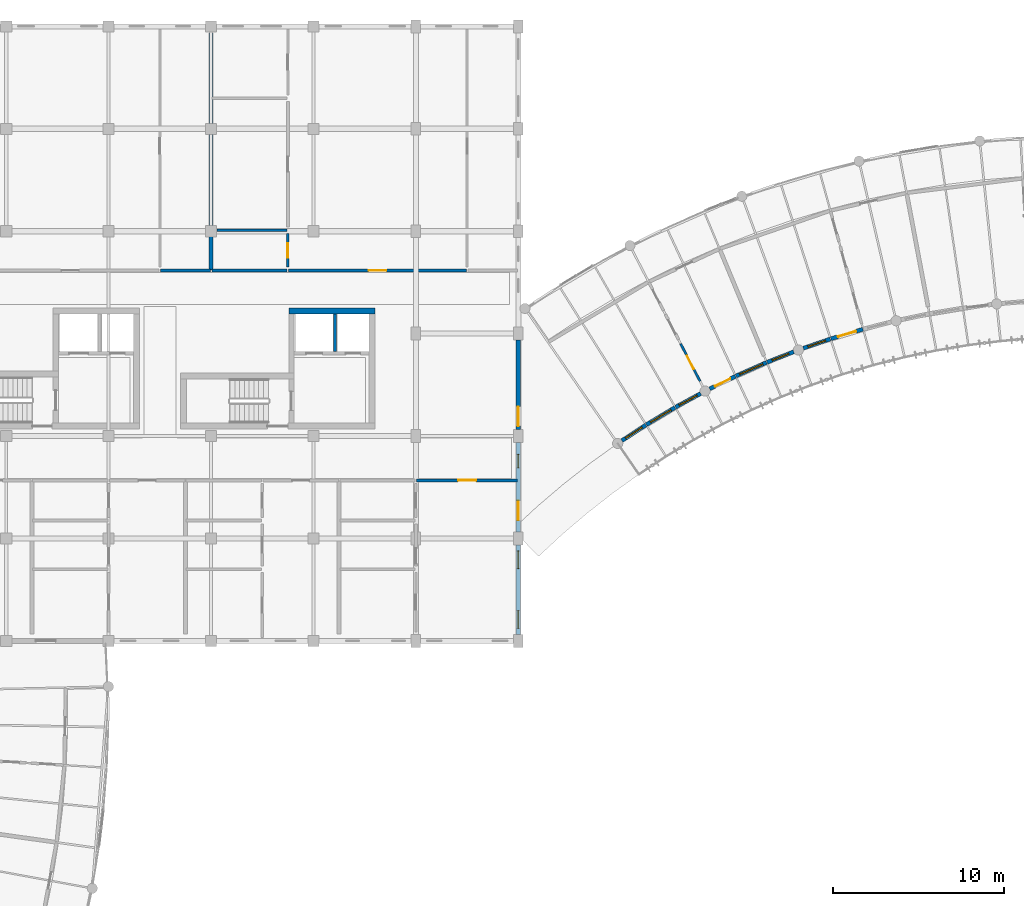
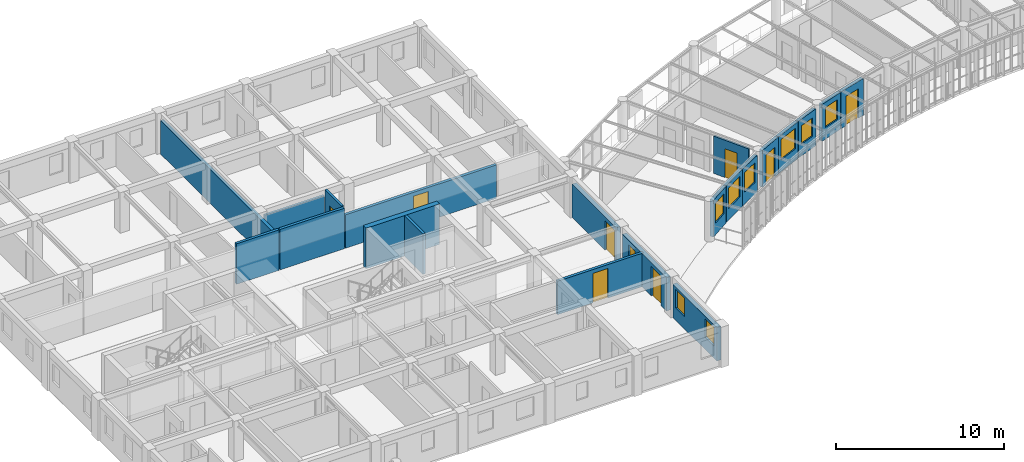
# One storey, part 71 of 100: 21 walls, 9 windows, 8 doors, 17 openings.
"""IFC4 building model written with IfcOpenShell, lengths in metres."""

from ifc_helpers import new_model, si_unit, direction, frame, frame_2d, origin, place, context, subcontext, project, spatial, rectangle, extrude, material, layer, layer_set, type_object, element, fill, save


model = new_model("IFC4")

# Units and contexts
model_context = context("Model", 3, precision=1e-05, world=origin(), true_north=direction((0.0, 1.0)))
body_context = subcontext(model_context, "Body", "Model", "MODEL_VIEW")
ifc_project = project(units=[si_unit("LENGTHUNIT", "METRE"), si_unit("AREAUNIT", "SQUARE_METRE"), si_unit("VOLUMEUNIT", "CUBIC_METRE"), si_unit("PLANEANGLEUNIT", "RADIAN"), si_unit("MASSUNIT", "GRAM", prefix="KILO"), si_unit("POWERUNIT", "WATT"), si_unit("THERMODYNAMICTEMPERATUREUNIT", "KELVIN")], contexts=[model_context])

# Site, building, storey
site_placement = place(None, origin())
site = spatial("IfcSite", under=ifc_project, at=site_placement, CompositionType="ELEMENT")
building_placement = place(site_placement, origin())
building = spatial("IfcBuilding", under=site, at=building_placement, Name="Ruvembo Vaulted Housing Court", CompositionType="ELEMENT")
storey_placement = place(building_placement, frame((0.0, 0.0, 14.10009765625)))
storey = spatial("IfcBuildingStorey", under=building, at=storey_placement, Name="L04", CompositionType="ELEMENT", Elevation=14.10009765625)

# Wall
ifc_material_1 = material(Name="Concrete C35/45", Category="concrete")
ifc_layer_1 = layer(ifc_material_1, 0.35009765625, Name="Concrete C35/45")
ifc_layer_set_1 = layer_set([ifc_layer_1], Name="Concrete C35/45")
wall_type_1 = type_object("IfcWallType", Name="WL-CORE-350", PredefinedType="SHEAR", material=ifc_layer_set_1)
wall_1_placement = place(storey_placement, frame((75.60009765625, 97.324951171875, 0.0), z_axis=(0.0, 0.0, 1.0), x_axis=(-1.0, 0.0, 0.0)))
element("IfcWall", 1, at=wall_1_placement, inside=storey, type_object=wall_type_1, Name="Core B2 L04 North Shear Wall", PredefinedType="SHEAR", context=body_context, shape_type="SweptSolid", body=[
    extrude(rectangle(XDim=5.050048828125, YDim=0.35009765625, at=frame_2d((2.52490234375, 0.0))), origin(), (0.0, 0.0, 1.0), 2.949951171875),
])

# Wall, opening, door
ifc_material_2 = material(Name="Concrete Blockwork 190", Category="masonry")
ifc_layer_2 = layer(ifc_material_2, 0.18994140625, Name="Concrete Blockwork 190")
ifc_layer_set_2 = layer_set([ifc_layer_2], Name="Concrete Blockwork 190")
wall_type_2 = type_object("IfcWallType", Name="WL-CORR-190", PredefinedType="SOLIDWALL", material=ifc_layer_set_2)
wall_2_placement = place(storey_placement, frame((78.0400390625, 87.39990234375, 0.0), z_axis=(0.0, 0.0, 1.0), x_axis=(1.0, 0.0, 0.0)))
wall_2 = element("IfcWall", 2, at=wall_2_placement, inside=storey, type_object=wall_type_2, Name="L04 Flat B-L04-S4 Entrance WL-INT-L04-01162", PredefinedType="SOLIDWALL", context=body_context, shape_type="SweptSolid", body=[
    extrude(rectangle(XDim=5.919921875, YDim=0.18994140625, at=frame_2d((2.9599609375, 0.0))), origin(), (0.0, 0.0, 1.0), 2.431884765625),
])
opening_1_placement = place(wall_2_placement, frame((2.43505859375, 0.0, 0.0)))
opening_1 = element("IfcOpeningElement", 3, at=opening_1_placement, cuts=wall_2, Name="Opening FD3", PredefinedType="OPENING", context=body_context, shape_type="SweptSolid", body=[
    extrude(rectangle(XDim=1.050048828125, YDim=2.14990234375, at=frame_2d((0.52490234375, 1.074951171875))), frame((0.0, 0.10498046875, 0.0), z_axis=(0.0, -1.0, 0.0), x_axis=(1.0, 0.0, 0.0)), (0.0, 0.0, 1.0), 0.2099609375),
])
ifc_material_3 = material(Name="FSC Hardwood and Engineered Timber", Category="wood")
door_type_1 = type_object("IfcDoorType", Name="DR-FLAT-1050x2150", OperationType="NOTDEFINED", PredefinedType="DOOR", material=ifc_material_3)
door_1_placement = place(opening_1_placement, origin())
door_1 = element("IfcDoor", 4, at=door_1_placement, inside=storey, type_object=door_type_1, Name="L04 Flat B-L04-S4 Entrance Door DR-INT-L04-00650", OperationType="SINGLE_SWING_RIGHT", OverallHeight=2.14990234375, OverallWidth=1.050048828125, PredefinedType="DOOR", context=body_context, shape_type="SweptSolid", body=[
    extrude(rectangle(XDim=1.050048828125, YDim=2.14990234375, at=frame_2d((0.52490234375, 1.074951171875))), frame((0.0, 0.02490234375, 0.0), z_axis=(0.0, -1.0, 0.0), x_axis=(1.0, 0.0, 0.0)), (0.0, 0.0, 1.0), 0.050048828125),
])
fill(opening_1, door_1)

# Walls
wall_3_placement = place(storey_placement, frame((63.0400390625, 99.699951171875, 0.0), z_axis=(0.0, 0.0, 1.0), x_axis=(1.0, 0.0, 0.0)))
element("IfcWall", 5, at=wall_3_placement, inside=storey, type_object=wall_type_2, Name="L04 Flat B-L04-N1 Corridor Wall 2 WL-INT-L04-01176", PredefinedType="SOLIDWALL", context=body_context, shape_type="SweptSolid", body=[
    extrude(rectangle(XDim=2.919921875, YDim=0.18994140625, at=frame_2d((1.4599609375, 0.0))), origin(), (0.0, 0.0, 1.0), 2.949951171875),
])
wall_4_placement = place(storey_placement, frame((66.0400390625, 99.699951171875, 0.0), z_axis=(0.0, 0.0, 1.0), x_axis=(1.0, 0.0, 0.0)))
element("IfcWall", 6, at=wall_4_placement, inside=storey, type_object=wall_type_2, Name="L04 Flat B-L04-N2 Corridor Wall WL-INT-L04-01178", PredefinedType="SOLIDWALL", context=body_context, shape_type="SweptSolid", body=[
    extrude(rectangle(XDim=4.419921875, YDim=0.18994140625, at=frame_2d((2.2099609375, 0.0))), origin(), (0.0, 0.0, 1.0), 2.949951171875),
])

# Wall, opening, door
wall_5_placement = place(storey_placement, frame((70.5400390625, 99.699951171875, 0.0), z_axis=(0.0, 0.0, 1.0), x_axis=(1.0, 0.0, 0.0)))
wall_5 = element("IfcWall", 7, at=wall_5_placement, inside=storey, type_object=wall_type_2, Name="L04 Flat B-L04-N2 Entrance WL-INT-L04-01179", PredefinedType="SOLIDWALL", context=body_context, shape_type="SweptSolid", body=[
    extrude(rectangle(XDim=10.419921875, YDim=0.18994140625, at=frame_2d((5.2099609375, 0.0))), origin(), (0.0, 0.0, 1.0), 2.431884765625),
])
opening_2_placement = place(wall_5_placement, frame((4.68505859375, 0.0, 0.0)))
opening_2 = element("IfcOpeningElement", 8, at=opening_2_placement, cuts=wall_5, Name="Opening FD3", PredefinedType="OPENING", context=body_context, shape_type="SweptSolid", body=[
    extrude(rectangle(XDim=1.050048828125, YDim=2.14990234375, at=frame_2d((0.52490234375, 1.074951171875))), frame((0.0, 0.10498046875, 0.0), z_axis=(0.0, -1.0, 0.0), x_axis=(1.0, 0.0, 0.0)), (0.0, 0.0, 1.0), 0.2099609375),
])
door_2_placement = place(opening_2_placement, origin())
door_2 = element("IfcDoor", 9, at=door_2_placement, inside=storey, type_object=door_type_1, Name="L04 Flat B-L04-N2 Entrance Door DR-INT-L04-00659", OperationType="SINGLE_SWING_LEFT", OverallHeight=2.14990234375, OverallWidth=1.050048828125, PredefinedType="DOOR", context=body_context, shape_type="SweptSolid", body=[
    extrude(rectangle(XDim=1.050048828125, YDim=2.14990234375, at=frame_2d((0.52490234375, 1.074951171875))), frame((0.0, 0.02490234375, 0.0), z_axis=(0.0, -1.0, 0.0), x_axis=(1.0, 0.0, 0.0)), (0.0, 0.0, 1.0), 0.050048828125),
])
fill(opening_2, door_2)

# Wall
ifc_material_4 = material(Name="Acoustic Masonry Demising 220", Category="masonry")
ifc_layer_3 = layer(ifc_material_4, 0.219970703125, Name="Acoustic Masonry Demising 220")
ifc_layer_set_3 = layer_set([ifc_layer_3], Name="Acoustic Masonry Demising 220")
wall_type_3 = type_object("IfcWallType", Name="WL-DEM-200", PredefinedType="SOLIDWALL", material=ifc_layer_set_3)
wall_6_placement = place(storey_placement, frame((66.0, 99.739990234375, 0.0), z_axis=(0.0, 0.0, 1.0), x_axis=(0.0, 1.0, 0.0)))
element("IfcWall", 10, at=wall_6_placement, inside=storey, type_object=wall_type_3, Name="L04 Demising B-L04-N1 WL-INT-L04-01168", PredefinedType="SOLIDWALL", context=body_context, shape_type="SweptSolid", body=[
    extrude(rectangle(XDim=13.8701171875, YDim=0.219970703125, at=frame_2d((6.93505859375, 0.0))), origin(), (0.0, 0.0, 1.0), 2.4580078125),
])

# Wall, opening, window
ifc_material_5 = material(Name="Rendered Masonry 235", Category="masonry")
ifc_layer_4 = layer(ifc_material_5, 0.235107421875, Name="Rendered Masonry 235")
ifc_layer_set_4 = layer_set([ifc_layer_4], Name="Rendered Masonry 235")
wall_type_4 = type_object("IfcWallType", Name="WL-EXT-235", PredefinedType="STANDARD", material=ifc_layer_set_4)
wall_7_placement = place(storey_placement, frame((90.072509765625, 89.729248046875, 0.0), z_axis=(0.0, 0.0, 1.0), x_axis=(0.83589302699, 0.548892382375, 0.0)))
wall_7 = element("IfcWall", 11, at=wall_7_placement, inside=storey, type_object=wall_type_4, Name="Scoop SC3 L04 Concave Balcony Wall 0", PredefinedType="STANDARD", context=body_context, shape_type="SweptSolid", body=[
    extrude(rectangle(XDim=1.67236328125, YDim=0.235107421875, at=frame_2d((0.836181640625, 0.0))), origin(), (0.0, 0.0, 1.0), 2.683837890625),
])
opening_3_placement = place(wall_7_placement, frame((0.260986328125, 0.0, 0.85009765625)))
opening_3 = element("IfcOpeningElement", 12, at=opening_3_placement, cuts=wall_7, Name="Opening W11", PredefinedType="OPENING", context=body_context, shape_type="SweptSolid", body=[
    extrude(rectangle(XDim=1.14990234375, YDim=1.449951171875, at=frame_2d((0.574951171875, 0.72509765625))), frame((0.0, 0.12744140625, 0.0), z_axis=(0.0, -1.0, 0.0), x_axis=(1.0, 0.0, 0.0)), (0.0, 0.0, 1.0), 0.255126953125),
])
ifc_material_6 = material(Name="Double Solar-Control Glazing in Aluminium Frame", Category="aluminium")
window_type_1 = type_object("IfcWindowType", Name="WIN-1150x1450", PartitioningType="SINGLE_PANEL", PredefinedType="WINDOW", material=ifc_material_6)
window_1_placement = place(opening_3_placement, origin())
window_1 = element("IfcWindow", 13, at=window_1_placement, inside=storey, type_object=window_type_1, Name="Scoop SC3 L04 Concave Window 0", OverallHeight=1.449951171875, OverallWidth=1.14990234375, PartitioningType="SINGLE_PANEL", PredefinedType="WINDOW", context=body_context, shape_type="SweptSolid", body=[
    extrude(rectangle(XDim=1.14990234375, YDim=1.449951171875, at=frame_2d((0.574951171875, 0.72509765625))), frame((0.0, 0.030029296875, 0.0), z_axis=(0.0, -1.0, 0.0), x_axis=(1.0, 0.0, 0.0)), (0.0, 0.0, 1.0), 0.06005859375),
])
fill(opening_3, window_1)

wall_8_placement = place(storey_placement, frame((91.50439453125, 90.66845703125, 0.0), z_axis=(0.0, 0.0, 1.0), x_axis=(0.85787888411, 0.51385194385, 0.0)))
wall_8 = element("IfcWall", 14, at=wall_8_placement, inside=storey, type_object=wall_type_4, Name="Scoop SC3 L04 Concave Balcony Wall 1", PredefinedType="STANDARD", context=body_context, shape_type="SweptSolid", body=[
    extrude(rectangle(XDim=1.9521484375, YDim=0.235107421875, at=frame_2d((0.97607421875, 0.0))), origin(), (0.0, 0.0, 1.0), 2.683837890625),
])
opening_4_placement = place(wall_8_placement, frame((0.276123046875, 0.0, 0.85009765625)))
opening_4 = element("IfcOpeningElement", 15, at=opening_4_placement, cuts=wall_8, Name="Opening W17", PredefinedType="OPENING", context=body_context, shape_type="SweptSolid", body=[
    extrude(rectangle(XDim=1.39990234375, YDim=1.5, at=frame_2d((0.699951171875, 0.75))), frame((0.0, 0.12744140625, 0.0), z_axis=(0.0, -1.0, 0.0), x_axis=(1.0, 0.0, 0.0)), (0.0, 0.0, 1.0), 0.255126953125),
])
window_type_2 = type_object("IfcWindowType", Name="WIN-1400x1500", PartitioningType="SINGLE_PANEL", PredefinedType="WINDOW", material=ifc_material_6)
window_2_placement = place(opening_4_placement, origin())
window_2 = element("IfcWindow", 16, at=window_2_placement, inside=storey, type_object=window_type_2, Name="Scoop SC3 L04 Concave Window 1", OverallHeight=1.5, OverallWidth=1.39990234375, PartitioningType="SINGLE_PANEL", PredefinedType="WINDOW", context=body_context, shape_type="SweptSolid", body=[
    extrude(rectangle(XDim=1.39990234375, YDim=1.5, at=frame_2d((0.699951171875, 0.75))), frame((0.0, 0.030029296875, 0.0), z_axis=(0.0, -1.0, 0.0), x_axis=(1.0, 0.0, 0.0)), (0.0, 0.0, 1.0), 0.06005859375),
])
fill(opening_4, window_2)

wall_9_placement = place(storey_placement, frame((93.214111328125, 91.691650390625, 0.0), z_axis=(0.0, 0.0, 1.0), x_axis=(0.878508628322, 0.477726480284, 0.0)))
wall_9 = element("IfcWall", 17, at=wall_9_placement, inside=storey, type_object=wall_type_4, Name="Scoop SC3 L04 Concave Balcony Wall 2", PredefinedType="STANDARD", context=body_context, shape_type="SweptSolid", body=[
    extrude(rectangle(XDim=1.672119140625, YDim=0.235107421875, at=frame_2d((0.8359375, 0.0))), origin(), (0.0, 0.0, 1.0), 2.683837890625),
])
opening_5_placement = place(wall_9_placement, frame((0.236083984375, 0.0, 0.85009765625)))
opening_5 = element("IfcOpeningElement", 18, at=opening_5_placement, cuts=wall_9, Name="Opening W13", PredefinedType="OPENING", context=body_context, shape_type="SweptSolid", body=[
    extrude(rectangle(XDim=1.199951171875, YDim=1.449951171875, at=frame_2d((0.60009765625, 0.72509765625))), frame((0.0, 0.12744140625, 0.0), z_axis=(0.0, -1.0, 0.0), x_axis=(1.0, 0.0, 0.0)), (0.0, 0.0, 1.0), 0.255126953125),
])
window_type_3 = type_object("IfcWindowType", Name="WIN-1200x1450", PartitioningType="SINGLE_PANEL", PredefinedType="WINDOW", material=ifc_material_6)
window_3_placement = place(opening_5_placement, origin())
window_3 = element("IfcWindow", 19, at=window_3_placement, inside=storey, type_object=window_type_3, Name="Scoop SC3 L04 Concave Window 2", OverallHeight=1.449951171875, OverallWidth=1.199951171875, PartitioningType="SINGLE_PANEL", PredefinedType="WINDOW", context=body_context, shape_type="SweptSolid", body=[
    extrude(rectangle(XDim=1.199951171875, YDim=1.449951171875, at=frame_2d((0.60009765625, 0.72509765625))), frame((0.0, 0.030029296875, 0.0), z_axis=(0.0, -1.0, 0.0), x_axis=(1.0, 0.0, 0.0)), (0.0, 0.0, 1.0), 0.06005859375),
])
fill(opening_5, window_3)

# Wall, opening, door
wall_10_placement = place(storey_placement, frame((95.2158203125, 92.76611328125, 0.0), z_axis=(0.0, 0.0, 1.0), x_axis=(0.897558380725, 0.440895626186, 0.0)))
wall_10 = element("IfcWall", 20, at=wall_10_placement, inside=storey, type_object=wall_type_4, Name="Scoop SC3 L04 Concave Balcony Wall 3", PredefinedType="STANDARD", context=body_context, shape_type="SweptSolid", body=[
    extrude(rectangle(XDim=1.67236328125, YDim=0.235107421875, at=frame_2d((0.836181640625, 0.0))), origin(), (0.0, 0.0, 1.0), 2.683837890625),
])
opening_6_placement = place(wall_10_placement, frame((0.336181640625, 0.0, 0.0)))
opening_6 = element("IfcOpeningElement", 21, at=opening_6_placement, cuts=wall_10, Name="Opening BD1", PredefinedType="OPENING", context=body_context, shape_type="SweptSolid", body=[
    extrude(rectangle(XDim=1.0, YDim=2.14990234375, at=frame_2d((0.5, 1.074951171875))), frame((0.0, 0.12744140625, 0.0), z_axis=(0.0, -1.0, 0.0), x_axis=(1.0, 0.0, 0.0)), (0.0, 0.0, 1.0), 0.255126953125),
])
ifc_material_7 = material(Name="Thermally Broken Glazed Aluminium", Category="aluminium")
door_type_2 = type_object("IfcDoorType", Name="DR-BAL-1000x2150", OperationType="NOTDEFINED", PredefinedType="DOOR", material=ifc_material_7)
door_3_placement = place(opening_6_placement, frame((1.0, 0.0, 0.0), z_axis=(0.0, 0.0, 1.0), x_axis=(-1.0, 0.0, 0.0)))
door_3 = element("IfcDoor", 22, at=door_3_placement, inside=storey, type_object=door_type_2, Name="Scoop SC3 L04 Balcony Door 3", OperationType="SINGLE_SWING_RIGHT", OverallHeight=2.14990234375, OverallWidth=1.0, PredefinedType="DOOR", context=body_context, shape_type="SweptSolid", body=[
    extrude(rectangle(XDim=1.0, YDim=2.14990234375, at=frame_2d((0.5, 1.074951171875))), frame((0.0, 0.02490234375, 0.0), z_axis=(0.0, -1.0, 0.0), x_axis=(1.0, 0.0, 0.0)), (0.0, 0.0, 1.0), 0.050048828125),
])
fill(opening_6, door_3)

# Wall, opening, window
wall_11_placement = place(storey_placement, frame((96.753173828125, 93.5205078125, 0.0), z_axis=(0.0, 0.0, 1.0), x_axis=(0.915126852478, 0.403166025197, 0.0)))
wall_11 = element("IfcWall", 23, at=wall_11_placement, inside=storey, type_object=wall_type_4, Name="Scoop SC3 L04 Concave Balcony Wall 4", PredefinedType="STANDARD", context=body_context, shape_type="SweptSolid", body=[
    extrude(rectangle(XDim=1.952392578125, YDim=0.235107421875, at=frame_2d((0.97607421875, 0.0))), origin(), (0.0, 0.0, 1.0), 2.683837890625),
])
opening_7_placement = place(wall_11_placement, frame((0.226318359375, 0.0, 0.85009765625)))
opening_7 = element("IfcOpeningElement", 24, at=opening_7_placement, cuts=wall_11, Name="Opening W19", PredefinedType="OPENING", context=body_context, shape_type="SweptSolid", body=[
    extrude(rectangle(XDim=1.5, YDim=1.5, at=frame_2d((0.75, 0.75))), frame((0.0, 0.12744140625, 0.0), z_axis=(0.0, -1.0, 0.0), x_axis=(1.0, 0.0, 0.0)), (0.0, 0.0, 1.0), 0.255126953125),
])
window_type_4 = type_object("IfcWindowType", Name="WIN-1500x1500", PartitioningType="SINGLE_PANEL", PredefinedType="WINDOW", material=ifc_material_6)
window_4_placement = place(opening_7_placement, origin())
window_4 = element("IfcWindow", 25, at=window_4_placement, inside=storey, type_object=window_type_4, Name="Scoop SC3 L04 Concave Window 4", OverallHeight=1.5, OverallWidth=1.5, PartitioningType="SINGLE_PANEL", PredefinedType="WINDOW", context=body_context, shape_type="SweptSolid", body=[
    extrude(rectangle(XDim=1.5, YDim=1.5, at=frame_2d((0.75, 0.75))), frame((0.0, 0.030029296875, 0.0), z_axis=(0.0, -1.0, 0.0), x_axis=(1.0, 0.0, 0.0)), (0.0, 0.0, 1.0), 0.06005859375),
])
fill(opening_7, window_4)

wall_12_placement = place(storey_placement, frame((98.57666015625, 94.322998046875, 0.0), z_axis=(0.0, 0.0, 1.0), x_axis=(0.930962495902, 0.365114819233, 0.0)))
wall_12 = element("IfcWall", 26, at=wall_12_placement, inside=storey, type_object=wall_type_4, Name="Scoop SC3 L04 Concave Balcony Wall 5", PredefinedType="STANDARD", context=body_context, shape_type="SweptSolid", body=[
    extrude(rectangle(XDim=1.67236328125, YDim=0.235107421875, at=frame_2d((0.836181640625, 0.0))), origin(), (0.0, 0.0, 1.0), 2.683837890625),
])
opening_8_placement = place(wall_12_placement, frame((0.311279296875, 0.0, 0.85009765625)))
opening_8 = element("IfcOpeningElement", 27, at=opening_8_placement, cuts=wall_12, Name="Opening W09", PredefinedType="OPENING", context=body_context, shape_type="SweptSolid", body=[
    extrude(rectangle(XDim=1.050048828125, YDim=1.35009765625, at=frame_2d((0.52490234375, 0.675048828125))), frame((0.0, 0.12744140625, 0.0), z_axis=(0.0, -1.0, 0.0), x_axis=(1.0, 0.0, 0.0)), (0.0, 0.0, 1.0), 0.255126953125),
])
window_type_5 = type_object("IfcWindowType", Name="WIN-1050x1350", PartitioningType="SINGLE_PANEL", PredefinedType="WINDOW", material=ifc_material_6)
window_5_placement = place(opening_8_placement, origin())
window_5 = element("IfcWindow", 28, at=window_5_placement, inside=storey, type_object=window_type_5, Name="Scoop SC3 L04 Concave Window 5", OverallHeight=1.35009765625, OverallWidth=1.050048828125, PartitioningType="SINGLE_PANEL", PredefinedType="WINDOW", context=body_context, shape_type="SweptSolid", body=[
    extrude(rectangle(XDim=1.050048828125, YDim=1.35009765625, at=frame_2d((0.52490234375, 0.675048828125))), frame((0.0, 0.030029296875, 0.0), z_axis=(0.0, -1.0, 0.0), x_axis=(1.0, 0.0, 0.0)), (0.0, 0.0, 1.0), 0.06005859375),
])
fill(opening_8, window_5)

wall_13_placement = place(storey_placement, frame((100.696533203125, 95.140869140625, 0.0), z_axis=(0.0, 0.0, 1.0), x_axis=(0.94537763557, 0.32597718657, 0.0)))
wall_13 = element("IfcWall", 29, at=wall_13_placement, inside=storey, type_object=wall_type_4, Name="Scoop SC3 L04 Concave Balcony Wall 6", PredefinedType="STANDARD", context=body_context, shape_type="SweptSolid", body=[
    extrude(rectangle(XDim=1.67236328125, YDim=0.235107421875, at=frame_2d((0.836181640625, 0.0))), origin(), (0.0, 0.0, 1.0), 2.683837890625),
])
opening_9_placement = place(wall_13_placement, frame((0.2861328125, 0.0, 0.85009765625)))
opening_9 = element("IfcOpeningElement", 30, at=opening_9_placement, cuts=wall_13, Name="Opening W10", PredefinedType="OPENING", context=body_context, shape_type="SweptSolid", body=[
    extrude(rectangle(XDim=1.10009765625, YDim=1.449951171875, at=frame_2d((0.550048828125, 0.72509765625))), frame((0.0, 0.12744140625, 0.0), z_axis=(0.0, -1.0, 0.0), x_axis=(1.0, 0.0, 0.0)), (0.0, 0.0, 1.0), 0.255126953125),
])
window_type_6 = type_object("IfcWindowType", Name="WIN-1100x1450", PartitioningType="SINGLE_PANEL", PredefinedType="WINDOW", material=ifc_material_6)
window_6_placement = place(opening_9_placement, origin())
window_6 = element("IfcWindow", 31, at=window_6_placement, inside=storey, type_object=window_type_6, Name="Scoop SC3 L04 Concave Window 6", OverallHeight=1.449951171875, OverallWidth=1.10009765625, PartitioningType="SINGLE_PANEL", PredefinedType="WINDOW", context=body_context, shape_type="SweptSolid", body=[
    extrude(rectangle(XDim=1.10009765625, YDim=1.449951171875, at=frame_2d((0.550048828125, 0.72509765625))), frame((0.0, 0.030029296875, 0.0), z_axis=(0.0, -1.0, 0.0), x_axis=(1.0, 0.0, 0.0)), (0.0, 0.0, 1.0), 0.06005859375),
])
fill(opening_9, window_6)

# Wall, opening, door
wall_14_placement = place(storey_placement, frame((102.315673828125, 95.6982421875, 0.0), z_axis=(0.0, 0.0, 1.0), x_axis=(0.95807718441, 0.286510224446, 0.0)))
wall_14 = element("IfcWall", 32, at=wall_14_placement, inside=storey, type_object=wall_type_4, Name="Scoop SC3 L04 Concave Balcony Wall 7", PredefinedType="STANDARD", context=body_context, shape_type="SweptSolid", body=[
    extrude(rectangle(XDim=1.9521484375, YDim=0.235107421875, at=frame_2d((0.97607421875, 0.0))), origin(), (0.0, 0.0, 1.0), 2.683837890625),
])
opening_10_placement = place(wall_14_placement, frame((0.42626953125, 0.0, 0.0)))
opening_10 = element("IfcOpeningElement", 33, at=opening_10_placement, cuts=wall_14, Name="Opening BD3", PredefinedType="OPENING", context=body_context, shape_type="SweptSolid", body=[
    extrude(rectangle(XDim=1.10009765625, YDim=2.14990234375, at=frame_2d((0.550048828125, 1.074951171875))), frame((0.0, 0.12744140625, 0.0), z_axis=(0.0, -1.0, 0.0), x_axis=(1.0, 0.0, 0.0)), (0.0, 0.0, 1.0), 0.255126953125),
])
door_type_3 = type_object("IfcDoorType", Name="DR-BAL-1100x2150", OperationType="NOTDEFINED", PredefinedType="DOOR", material=ifc_material_7)
door_4_placement = place(opening_10_placement, frame((1.10009765625, 0.0, 0.0), z_axis=(0.0, 0.0, 1.0), x_axis=(-1.0, 0.0, 0.0)))
door_4 = element("IfcDoor", 34, at=door_4_placement, inside=storey, type_object=door_type_3, Name="Scoop SC3 L04 Balcony Door 7", OperationType="SINGLE_SWING_LEFT", OverallHeight=2.14990234375, OverallWidth=1.10009765625, PredefinedType="DOOR", context=body_context, shape_type="SweptSolid", body=[
    extrude(rectangle(XDim=1.10009765625, YDim=2.14990234375, at=frame_2d((0.550048828125, 1.074951171875))), frame((0.0, 0.02490234375, 0.0), z_axis=(0.0, -1.0, 0.0), x_axis=(1.0, 0.0, 0.0)), (0.0, 0.0, 1.0), 0.050048828125),
])
fill(opening_10, door_4)

# Wall, openings, windows
ifc_material_8 = material(Name="Rendered Masonry 285", Category="masonry")
ifc_layer_5 = layer(ifc_material_8, 0.284912109375, Name="Rendered Masonry 285")
ifc_layer_set_5 = layer_set([ifc_layer_5], Name="Rendered Masonry 285")
wall_type_5 = type_object("IfcWallType", Name="WL-EXT-285", PredefinedType="STANDARD", material=ifc_layer_set_5)
wall_15_placement = place(storey_placement, frame((84.0, 78.375, 0.0), z_axis=(0.0, 0.0, 1.0), x_axis=(0.0, 1.0, 0.0)))
wall_15 = element("IfcWall", 35, at=wall_15_placement, inside=storey, type_object=wall_type_5, Name="Block B L04 Exterior Wall EAST #1", PredefinedType="STANDARD", context=body_context, shape_type="SweptSolid", body=[
    extrude(rectangle(XDim=5.25, YDim=0.284912109375, at=frame_2d((2.625, 0.0))), origin(), (0.0, 0.0, 1.0), 2.431884765625),
])
opening_11_placement = place(wall_15_placement, frame((0.35009765625, 0.0, 0.89990234375)))
opening_11 = element("IfcOpeningElement", 36, at=opening_11_placement, cuts=wall_15, Name="Opening W09", PredefinedType="OPENING", context=body_context, shape_type="SweptSolid", body=[
    extrude(rectangle(XDim=1.050048828125, YDim=1.35009765625, at=frame_2d((0.52490234375, 0.675048828125))), frame((0.0, 0.15234375, 0.0), z_axis=(0.0, -1.0, 0.0), x_axis=(1.0, 0.0, 0.0)), (0.0, 0.0, 1.0), 0.304931640625),
])
opening_12_placement = place(wall_15_placement, frame((3.85009765625, 0.0, 0.89990234375)))
opening_12 = element("IfcOpeningElement", 37, at=opening_12_placement, cuts=wall_15, Name="Opening W09", PredefinedType="OPENING", context=body_context, shape_type="SweptSolid", body=[
    extrude(rectangle(XDim=1.050048828125, YDim=1.35009765625, at=frame_2d((0.52490234375, 0.675048828125))), frame((0.0, 0.15234375, 0.0), z_axis=(0.0, -1.0, 0.0), x_axis=(1.0, 0.0, 0.0)), (0.0, 0.0, 1.0), 0.304931640625),
])
window_7_placement = place(opening_11_placement, origin())
window_7 = element("IfcWindow", 38, at=window_7_placement, inside=storey, type_object=window_type_5, Name="Block B L04 Window #778", OverallHeight=1.35009765625, OverallWidth=1.050048828125, PartitioningType="SINGLE_PANEL", PredefinedType="WINDOW", context=body_context, shape_type="SweptSolid", body=[
    extrude(rectangle(XDim=1.050048828125, YDim=1.35009765625, at=frame_2d((0.52490234375, 0.675048828125))), frame((0.0, 0.030029296875, 0.0), z_axis=(0.0, -1.0, 0.0), x_axis=(1.0, 0.0, 0.0)), (0.0, 0.0, 1.0), 0.06005859375),
])
fill(opening_11, window_7)
window_8_placement = place(opening_12_placement, origin())
window_8 = element("IfcWindow", 39, at=window_8_placement, inside=storey, type_object=window_type_5, Name="Block B L04 Window #779", OverallHeight=1.35009765625, OverallWidth=1.050048828125, PartitioningType="SINGLE_PANEL", PredefinedType="WINDOW", context=body_context, shape_type="SweptSolid", body=[
    extrude(rectangle(XDim=1.050048828125, YDim=1.35009765625, at=frame_2d((0.52490234375, 0.675048828125))), frame((0.0, 0.030029296875, 0.0), z_axis=(0.0, -1.0, 0.0), x_axis=(1.0, 0.0, 0.0)), (0.0, 0.0, 1.0), 0.06005859375),
])
fill(opening_12, window_8)

# Wall, openings, door, window
wall_16_placement = place(storey_placement, frame((84.0, 84.375, 0.0), z_axis=(0.0, 0.0, 1.0), x_axis=(0.0, 1.0, 0.0)))
wall_16 = element("IfcWall", 40, at=wall_16_placement, inside=storey, type_object=wall_type_5, Name="Block B L04 Exterior Wall EAST #2", PredefinedType="STANDARD", context=body_context, shape_type="SweptSolid", body=[
    extrude(rectangle(XDim=5.25, YDim=0.284912109375, at=frame_2d((2.625, 0.0))), origin(), (0.0, 0.0, 1.0), 2.431884765625),
])
opening_13_placement = place(wall_16_placement, frame((0.67822265625, 0.0, 0.0)))
opening_13 = element("IfcOpeningElement", 41, at=opening_13_placement, cuts=wall_16, Name="Opening GD1", PredefinedType="OPENING", context=body_context, shape_type="SweptSolid", body=[
    extrude(rectangle(XDim=1.14990234375, YDim=2.14990234375, at=frame_2d((0.574951171875, 1.074951171875))), frame((0.0, 0.15234375, 0.0), z_axis=(0.0, -1.0, 0.0), x_axis=(1.0, 0.0, 0.0)), (0.0, 0.0, 1.0), 0.304931640625),
])
opening_14_placement = place(wall_16_placement, frame((3.757568359375, 0.0, 0.89990234375)))
opening_14 = element("IfcOpeningElement", 42, at=opening_14_placement, cuts=wall_16, Name="Opening W02", PredefinedType="OPENING", context=body_context, shape_type="SweptSolid", body=[
    extrude(rectangle(XDim=0.800048828125, YDim=1.199951171875, at=frame_2d((0.39990234375, 0.60009765625))), frame((0.0, 0.15234375, 0.0), z_axis=(0.0, -1.0, 0.0), x_axis=(1.0, 0.0, 0.0)), (0.0, 0.0, 1.0), 0.304931640625),
])
door_type_4 = type_object("IfcDoorType", Name="DR-GAL-1150x2150", OperationType="NOTDEFINED", PredefinedType="DOOR", material=ifc_material_7)
door_5_placement = place(opening_13_placement, frame((1.14990234375, 0.0, 0.0), z_axis=(0.0, 0.0, 1.0), x_axis=(-1.0, 0.0, 0.0)))
door_5 = element("IfcDoor", 43, at=door_5_placement, inside=storey, type_object=door_type_4, Name="Block B L04 Terrace or Gallery Door DR-TER-B-L04-041", OperationType="SINGLE_SWING_RIGHT", OverallHeight=2.14990234375, OverallWidth=1.14990234375, PredefinedType="DOOR", context=body_context, shape_type="SweptSolid", body=[
    extrude(rectangle(XDim=1.14990234375, YDim=2.14990234375, at=frame_2d((0.574951171875, 1.074951171875))), frame((0.0, 0.02490234375, 0.0), z_axis=(0.0, -1.0, 0.0), x_axis=(1.0, 0.0, 0.0)), (0.0, 0.0, 1.0), 0.050048828125),
])
fill(opening_13, door_5)
window_type_7 = type_object("IfcWindowType", Name="WIN-0800x1200", PartitioningType="SINGLE_PANEL", PredefinedType="WINDOW", material=ifc_material_6)
window_9_placement = place(opening_14_placement, origin())
window_9 = element("IfcWindow", 44, at=window_9_placement, inside=storey, type_object=window_type_7, Name="Block B L04 Window #780", OverallHeight=1.199951171875, OverallWidth=0.800048828125, PartitioningType="SINGLE_PANEL", PredefinedType="WINDOW", context=body_context, shape_type="SweptSolid", body=[
    extrude(rectangle(XDim=0.800048828125, YDim=1.199951171875, at=frame_2d((0.39990234375, 0.60009765625))), frame((0.0, 0.030029296875, 0.0), z_axis=(0.0, -1.0, 0.0), x_axis=(1.0, 0.0, 0.0)), (0.0, 0.0, 1.0), 0.06005859375),
])
fill(opening_14, window_9)

# Wall, opening, door
wall_17_placement = place(storey_placement, frame((84.0, 90.375, 0.0), z_axis=(0.0, 0.0, 1.0), x_axis=(0.0, 1.0, 0.0)))
wall_17 = element("IfcWall", 45, at=wall_17_placement, inside=storey, type_object=wall_type_5, Name="Block B L04 Exterior Wall EAST #3", PredefinedType="STANDARD", context=body_context, shape_type="SweptSolid", body=[
    extrude(rectangle(XDim=5.25, YDim=0.284912109375, at=frame_2d((2.625, 0.0))), origin(), (0.0, 0.0, 1.0), 2.431884765625),
])
opening_15_placement = place(wall_17_placement, frame((0.199951171875, 0.0, 0.0)))
opening_15 = element("IfcOpeningElement", 46, at=opening_15_placement, cuts=wall_17, Name="Opening GD1", PredefinedType="OPENING", context=body_context, shape_type="SweptSolid", body=[
    extrude(rectangle(XDim=1.14990234375, YDim=2.14990234375, at=frame_2d((0.574951171875, 1.074951171875))), frame((0.0, 0.15234375, 0.0), z_axis=(0.0, -1.0, 0.0), x_axis=(1.0, 0.0, 0.0)), (0.0, 0.0, 1.0), 0.304931640625),
])
door_6_placement = place(opening_15_placement, frame((1.14990234375, 0.0, 0.0), z_axis=(0.0, 0.0, 1.0), x_axis=(-1.0, 0.0, 0.0)))
door_6 = element("IfcDoor", 47, at=door_6_placement, inside=storey, type_object=door_type_4, Name="Block B L04 Terrace or Gallery Door DR-TER-B-L04-042", OperationType="SINGLE_SWING_LEFT", OverallHeight=2.14990234375, OverallWidth=1.14990234375, PredefinedType="DOOR", context=body_context, shape_type="SweptSolid", body=[
    extrude(rectangle(XDim=1.14990234375, YDim=2.14990234375, at=frame_2d((0.574951171875, 1.074951171875))), frame((0.0, 0.02490234375, 0.0), z_axis=(0.0, -1.0, 0.0), x_axis=(1.0, 0.0, 0.0)), (0.0, 0.0, 1.0), 0.050048828125),
])
fill(opening_15, door_6)

ifc_material_9 = material(Name="Acoustic Stud Partition 135", Category="gypsum")
ifc_layer_6 = layer(ifc_material_9, 0.135009765625, Name="Acoustic Stud Partition 135")
ifc_layer_set_6 = layer_set([ifc_layer_6], Name="Acoustic Stud Partition 135")
wall_type_6 = type_object("IfcWallType", Name="WL-PART-135", PredefinedType="PARTITIONING", material=ifc_layer_set_6)
wall_18_placement = place(storey_placement, frame((94.64892578125, 93.20947265625, 0.0), z_axis=(0.0, 0.0, 1.0), x_axis=(-0.459457735566, 0.888199633657, 0.0)))
wall_18 = element("IfcWall", 48, at=wall_18_placement, inside=storey, type_object=wall_type_6, Name="L04 Suite SC3-L04-U1 Bedroom WL-INT-L04-01347", PredefinedType="PARTITIONING", context=body_context, shape_type="SweptSolid", body=[
    extrude(rectangle(XDim=2.47998046875, YDim=0.135009765625, at=frame_2d((1.239990234375, 0.0))), origin(), (0.0, 0.0, 1.0), 2.721923828125),
])
opening_16_placement = place(wall_18_placement, frame((0.800048828125, 0.0, 0.0)))
opening_16 = element("IfcOpeningElement", 49, at=opening_16_placement, cuts=wall_18, Name="Opening ID3", PredefinedType="OPENING", context=body_context, shape_type="SweptSolid", body=[
    extrude(rectangle(XDim=0.8798828125, YDim=2.10009765625, at=frame_2d((0.43994140625, 1.050048828125))), frame((0.0, 0.077392578125, 0.0), z_axis=(0.0, -1.0, 0.0), x_axis=(1.0, 0.0, 0.0)), (0.0, 0.0, 1.0), 0.155029296875),
])
door_type_5 = type_object("IfcDoorType", Name="DR-ROOM-0880x2100", OperationType="NOTDEFINED", PredefinedType="DOOR", material=ifc_material_3)
door_7_placement = place(opening_16_placement, origin())
door_7 = element("IfcDoor", 50, at=door_7_placement, inside=storey, type_object=door_type_5, Name="L04 Suite SC3-L04-U1 Bedroom Door DR-INT-L04-00757", OperationType="SINGLE_SWING_LEFT", OverallHeight=2.10009765625, OverallWidth=0.8798828125, PredefinedType="DOOR", context=body_context, shape_type="SweptSolid", body=[
    extrude(rectangle(XDim=0.8798828125, YDim=2.10009765625, at=frame_2d((0.43994140625, 1.050048828125))), frame((0.0, 0.02490234375, 0.0), z_axis=(0.0, -1.0, 0.0), x_axis=(1.0, 0.0, 0.0)), (0.0, 0.0, 1.0), 0.050048828125),
])
fill(opening_16, door_7)

ifc_material_10 = material(Name="Moisture-Resistant Wet Partition 150", Category="gypsum")
ifc_layer_7 = layer(ifc_material_10, 0.14990234375, Name="Moisture-Resistant Wet Partition 150")
ifc_layer_set_7 = layer_set([ifc_layer_7], Name="Moisture-Resistant Wet Partition 150")
wall_type_7 = type_object("IfcWallType", Name="WL-PART-150", PredefinedType="PARTITIONING", material=ifc_layer_set_7)
wall_19_placement = place(storey_placement, frame((70.5, 99.889892578125, 0.0), z_axis=(0.0, 0.0, 1.0), x_axis=(0.0, 1.0, 0.0)))
wall_19 = element("IfcWall", 51, at=wall_19_placement, inside=storey, type_object=wall_type_7, Name="L04 Flat B-L04-N2 Bathroom WL-INT-L04-01182", PredefinedType="PARTITIONING", context=body_context, shape_type="SweptSolid", body=[
    extrude(rectangle(XDim=1.97021484375, YDim=0.14990234375, at=frame_2d((0.985107421875, 0.0))), origin(), (0.0, 0.0, 1.0), 2.949951171875),
])
opening_17_placement = place(wall_19_placement, frame((0.56005859375, 0.0, 0.0)))
opening_17 = element("IfcOpeningElement", 52, at=opening_17_placement, cuts=wall_19, Name="Opening ID2", PredefinedType="OPENING", context=body_context, shape_type="SweptSolid", body=[
    extrude(rectangle(XDim=0.85009765625, YDim=2.10009765625, at=frame_2d((0.425048828125, 1.050048828125))), frame((0.0, 0.0849609375, 0.0), z_axis=(0.0, -1.0, 0.0), x_axis=(1.0, 0.0, 0.0)), (0.0, 0.0, 1.0), 0.169921875),
])
door_type_6 = type_object("IfcDoorType", Name="DR-WET-0850x2100", OperationType="NOTDEFINED", PredefinedType="DOOR", material=ifc_material_3)
door_8_placement = place(opening_17_placement, origin())
door_8 = element("IfcDoor", 53, at=door_8_placement, inside=storey, type_object=door_type_6, Name="L04 Flat B-L04-N2 Bathroom Door DR-INT-L04-00662", OperationType="SINGLE_SWING_RIGHT", OverallHeight=2.10009765625, OverallWidth=0.85009765625, PredefinedType="DOOR", context=body_context, shape_type="SweptSolid", body=[
    extrude(rectangle(XDim=0.85009765625, YDim=2.10009765625, at=frame_2d((0.425048828125, 1.050048828125))), frame((0.0, 0.02490234375, 0.0), z_axis=(0.0, -1.0, 0.0), x_axis=(1.0, 0.0, 0.0)), (0.0, 0.0, 1.0), 0.050048828125),
])
fill(opening_17, door_8)

# Walls
wall_20_placement = place(storey_placement, frame((66.360107421875, 102.050048828125, 0.0), z_axis=(0.0, 0.0, 1.0), x_axis=(1.0, 0.0, 0.0)))
element("IfcWall", 54, at=wall_20_placement, inside=storey, type_object=wall_type_7, Name="L04 Flat B-L04-N2 Wet Wall 2 WL-INT-L04-01184", PredefinedType="PARTITIONING", context=body_context, shape_type="SweptSolid", body=[
    extrude(rectangle(XDim=4.099853515625, YDim=0.14990234375, at=frame_2d((2.0498046875, 0.0))), origin(), (0.0, 0.0, 1.0), 2.431884765625),
])
ifc_material_11 = material(Name="Fire-Rated Masonry Shaft 180", Category="masonry")
ifc_layer_8 = layer(ifc_material_11, 0.179931640625, Name="Fire-Rated Masonry Shaft 180")
ifc_layer_set_8 = layer_set([ifc_layer_8], Name="Fire-Rated Masonry Shaft 180")
wall_type_8 = type_object("IfcWallType", Name="WL-SHAFT-180", PredefinedType="SOLIDWALL", material=ifc_layer_set_8)
wall_21_placement = place(storey_placement, frame((73.27001953125, 94.93994140625, 0.0), z_axis=(0.0, 0.0, 1.0), x_axis=(0.0, 1.0, 0.0)))
element("IfcWall", 55, at=wall_21_placement, inside=storey, type_object=wall_type_8, Name="Core B2 L04 Shaft-Riser Divider Wall", PredefinedType="SOLIDWALL", context=body_context, shape_type="SweptSolid", body=[
    extrude(rectangle(XDim=2.2099609375, YDim=0.179931640625, at=frame_2d((1.10498046875, 0.0))), origin(), (0.0, 0.0, 1.0), 2.949951171875),
])

save(model, "model.ifc")
